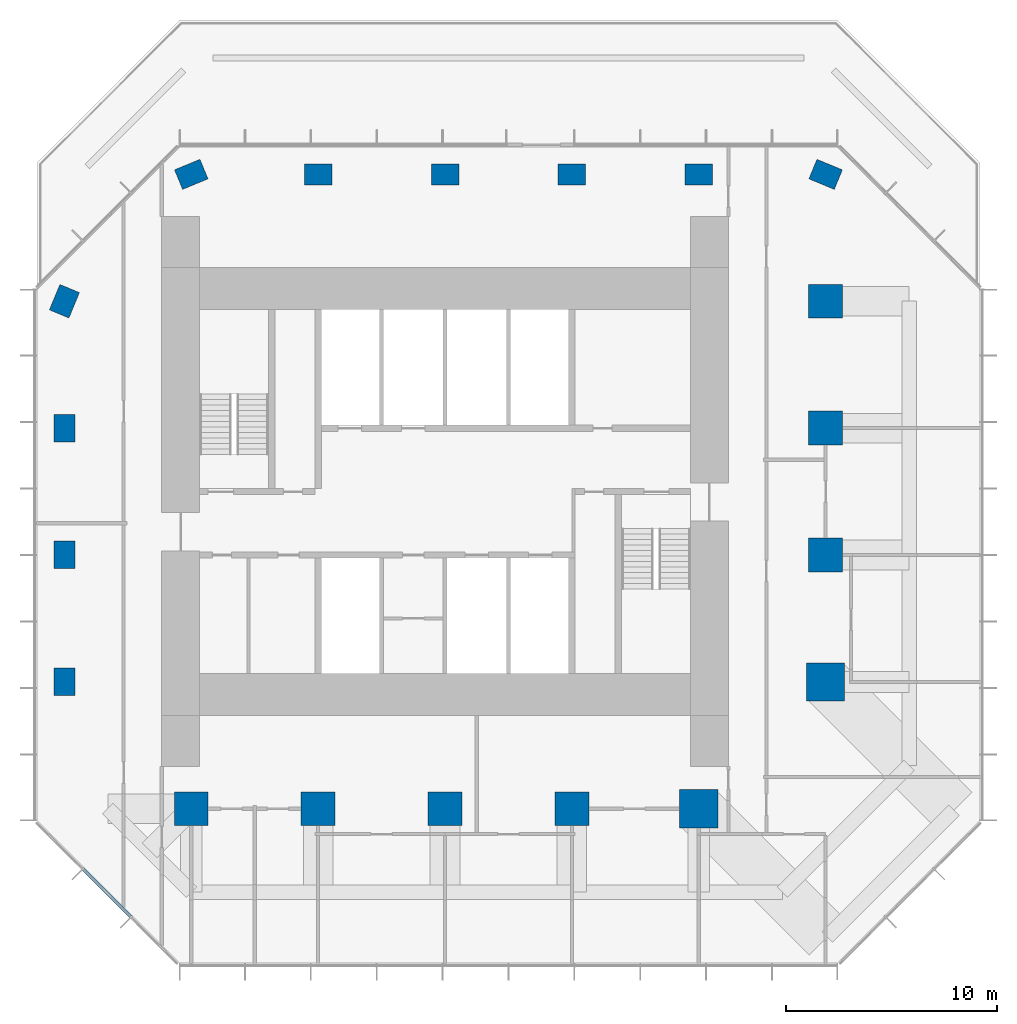
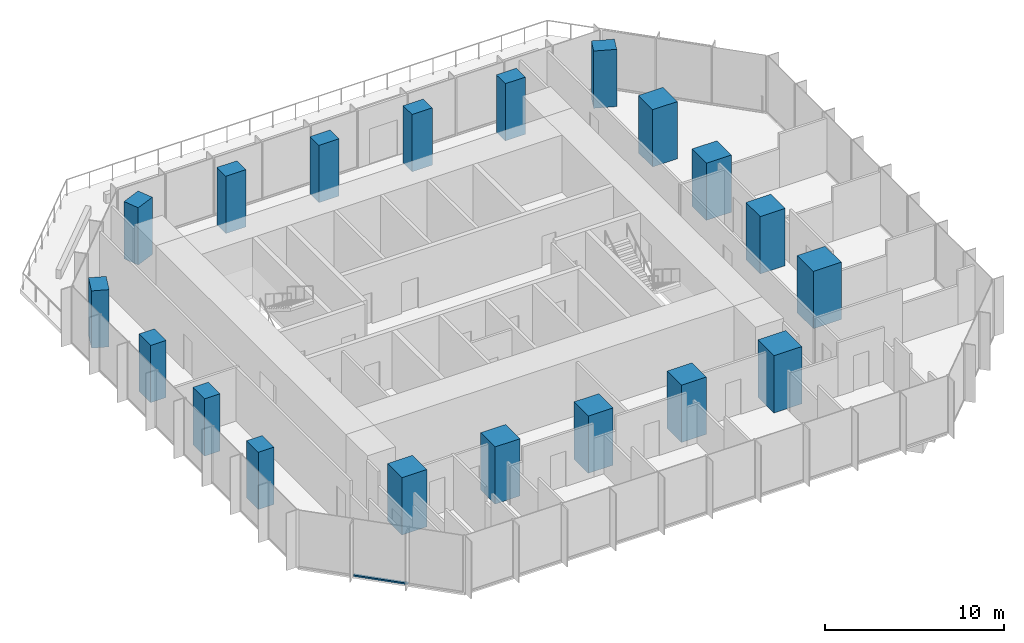
# One storey, part 1 of 11: 19 columns, 1 member, 1 element without a shape of its own.
"""IFC4 building model written with IfcOpenShell, lengths in metres."""

from ifc_helpers import new_model, si_unit, direction, frame, origin, origin_2d, place, context, subcontext, project, spatial, rectangle, extrude, material, layer, layer_set, material_profile, profile_set, type_object, element, aggregate, save


model = new_model("IFC4")

# Units and contexts
model_context = context("Model", 3, precision=1e-05, world=origin(), true_north=direction((0.0, 1.0)))
body_context = subcontext(model_context, "Body", "Model", "MODEL_VIEW")
ifc_project = project(units=[si_unit("LENGTHUNIT", "METRE"), si_unit("AREAUNIT", "SQUARE_METRE"), si_unit("VOLUMEUNIT", "CUBIC_METRE"), si_unit("PLANEANGLEUNIT", "RADIAN"), si_unit("MASSUNIT", "GRAM", prefix="KILO")], contexts=[model_context])

# Site, building, storey
site_placement = place(None, origin())
site = spatial("IfcSite", under=ifc_project, at=site_placement, CompositionType="ELEMENT")
building_placement = place(site_placement, origin())
building = spatial("IfcBuilding", under=site, at=building_placement, Name="Highveld Stack Headquarters", CompositionType="ELEMENT")
storey_placement = place(building_placement, frame((0.0, 0.0, 268.39990234375)))
storey = spatial("IfcBuildingStorey", under=building, at=storey_placement, Name="L66", CompositionType="ELEMENT", Elevation=268.39990234375)

# Columns
ifc_material_1 = material(Name="Concrete C60/75", Category="concrete")
ifc_material_profile_1 = material_profile(ifc_material_1, rectangle(XDim=1.300048828125, YDim=1.0, at=origin_2d()), Name="RC 1300x1000")
ifc_profile_set_1 = profile_set([ifc_material_profile_1], Name="Concrete C60/75")
column_type_1 = type_object("IfcColumnType", Name="COLUMN RC 1300x1000 C60/75", PredefinedType="COLUMN", material=ifc_profile_set_1)
for number, where, z_axis, x_axis, name in (
    (1, (-12.0, -6.0, 0.0), (0.0, 0.0, 1.0), (0.0, 1.0, 0.0), "Column 4/D L66"),
    (2, (-12.0, 0.0, 0.0), (0.0, 0.0, 1.0), (0.0, 1.0, 0.0), "Column 4/E L66"),
    (3, (-12.0, 6.0, 0.0), (0.0, 0.0, 1.0), (0.0, 1.0, 0.0), "Column 4/F L66"),
    (4, (-12.0, 12.0, 0.0), (0.0, 0.0, 1.0), (0.382683432365, 0.923879532511, 0.0), "Column 4/G L66"),
    (5, (-6.0, 18.0, 0.0), (0.0, 0.0, 1.0), (0.923879532511, 0.382683432365, 0.0), "Column 5/H L66"),
    (6, (0.0, 18.0, 0.0), (0.0, 0.0, 1.0), (1.0, 0.0, 0.0), "Column 6/H L66"),
    (7, (6.0, 18.0, 0.0), (0.0, 0.0, 1.0), (1.0, 0.0, 0.0), "Column 7/H L66"),
    (8, (12.0, 18.0, 0.0), (0.0, 0.0, 1.0), (1.0, 0.0, 0.0), "Column 8/H L66"),
    (9, (18.0, 18.0, 0.0), (0.0, 0.0, 1.0), (1.0, 0.0, 0.0), "Column 9/H L66"),
    (10, (24.0, 18.0, 0.0), (0.0, 0.0, 1.0), (0.923879532511, -0.382683432365, 0.0), "Column 10/H L66"),
):
    element("IfcColumn", number, at=place(storey_placement, frame(where, z_axis=z_axis, x_axis=x_axis)), inside=storey, type_object=column_type_1, Name=name, PredefinedType="COLUMN", context=body_context, shape_type="SweptSolid", body=[
        extrude(rectangle(XDim=1.300048828125, YDim=1.0, at=origin_2d()), origin(), (0.0, 0.0, 1.0), 3.900146484375),
    ])
ifc_material_2 = material(Name="Concrete C60/75", Category="concrete")
ifc_material_profile_2 = material_profile(ifc_material_2, rectangle(XDim=1.60009765625, YDim=1.60009765625, at=origin_2d()), Name="RC 1600x1600")
ifc_profile_set_2 = profile_set([ifc_material_profile_2], Name="Concrete C60/75")
column_type_2 = type_object("IfcColumnType", Name="COLUMN RC 1600x1600 C60/75", PredefinedType="COLUMN", material=ifc_profile_set_2)
for number, where, z_axis, x_axis, name in (
    (11, (-6.0, -12.0, 0.0), (0.0, 0.0, 1.0), (1.0, 0.0, 0.0), "Column 5/C L66"),
    (12, (0.0, -12.0, 0.0), (0.0, 0.0, 1.0), (1.0, 0.0, 0.0), "Column 6/C L66"),
    (13, (6.0, -12.0, 0.0), (0.0, 0.0, 1.0), (1.0, 0.0, 0.0), "Column 7/C L66"),
    (14, (12.0, -12.0, 0.0), (0.0, 0.0, 1.0), (1.0, 0.0, 0.0), "Column 8/C L66"),
    (15, (24.0, 0.0, 0.0), (0.0, 0.0, 1.0), (1.0, 0.0, 0.0), "Column 10/E L66"),
    (16, (24.0, 6.0, 0.0), (0.0, 0.0, 1.0), (1.0, 0.0, 0.0), "Column 10/F L66"),
    (17, (24.0, 12.0, 0.0), (0.0, 0.0, 1.0), (1.0, 0.0, 0.0), "Column 10/G L66"),
):
    element("IfcColumn", number, at=place(storey_placement, frame(where, z_axis=z_axis, x_axis=x_axis)), inside=storey, type_object=column_type_2, Name=name, PredefinedType="COLUMN", context=body_context, shape_type="SweptSolid", body=[
        extrude(rectangle(XDim=1.60009765625, YDim=1.60009765625, at=origin_2d()), origin(), (0.0, 0.0, 1.0), 3.900146484375),
    ])
ifc_material_3 = material(Name="Concrete C60/75", Category="concrete")
ifc_material_profile_3 = material_profile(ifc_material_3, rectangle(XDim=1.800048828125, YDim=1.800048828125, at=origin_2d()), Name="RC 1800x1800")
ifc_profile_set_3 = profile_set([ifc_material_profile_3], Name="Concrete C60/75")
column_type_3 = type_object("IfcColumnType", Name="COLUMN RC 1800x1800 C60/75", PredefinedType="COLUMN", material=ifc_profile_set_3)
for number, where, z_axis, x_axis, name in (
    (18, (18.0, -12.0, 0.0), (0.0, 0.0, 1.0), (1.0, 0.0, 0.0), "Column 9/C L66"),
    (19, (24.0, -6.0, 0.0), (0.0, 0.0, 1.0), (1.0, 0.0, 0.0), "Column 10/D L66"),
):
    element("IfcColumn", number, at=place(storey_placement, frame(where, z_axis=z_axis, x_axis=x_axis)), inside=storey, type_object=column_type_3, Name=name, PredefinedType="COLUMN", context=body_context, shape_type="SweptSolid", body=[
        extrude(rectangle(XDim=1.800048828125, YDim=1.800048828125, at=origin_2d()), origin(), (0.0, 0.0, 1.0), 3.900146484375),
    ])

# Curtain wall, member
ifc_material_4 = material(Name="Aluminium bronze anodised", Category="aluminium")
ifc_layer = layer(ifc_material_4, 0.199951171875)
ifc_layer_set = layer_set([ifc_layer], Name="Aluminium bronze anodised")
curtain_wall_type = type_object("IfcCurtainWallType", Name="CW5 EXECUTIVE UNITISED CURTAIN WALL", PredefinedType="NOTDEFINED", material=ifc_layer_set)
curtain_wall_placement = place(storey_placement, origin())
curtain_wall = element("IfcCurtainWall", 20, at=curtain_wall_placement, inside=storey, type_object=curtain_wall_type, Name="Curtain wall CW5 L66 SW", PredefinedType="NOTDEFINED")
ifc_material_5 = material(Name="Aluminium bronze anodised", Category="aluminium")
ifc_material_profile_4 = material_profile(ifc_material_5, rectangle(XDim=0.14990234375, YDim=0.10009765625, at=origin_2d()), Name="CW5 TRANSOM 150x100")
ifc_profile_set_4 = profile_set([ifc_material_profile_4], Name="Aluminium bronze anodised")
member_type = type_object("IfcMemberType", Name="CW5 STACK TRANSOM 150x100", PredefinedType="USERDEFINED", material=ifc_profile_set_4)
member_placement = place(storey_placement, frame((-11.103759765625, -14.876220703125, 0.050048828125), z_axis=(0.707106781187, -0.707106781187, 0.0), x_axis=(0.707106781187, 0.707106781187, 0.0)))
member = element("IfcMember", 21, at=member_placement, type_object=member_type, Name="CW5 transom L66 2.1", ObjectType="TRANSOM", PredefinedType="USERDEFINED", context=body_context, shape_type="SweptSolid", body=[
    extrude(rectangle(XDim=0.14990234375, YDim=0.10009765625, at=origin_2d()), origin(), (0.0, 0.0, 1.0), 3.150146484375),
])
aggregate(curtain_wall, [member])

save(model, "model.ifc")
